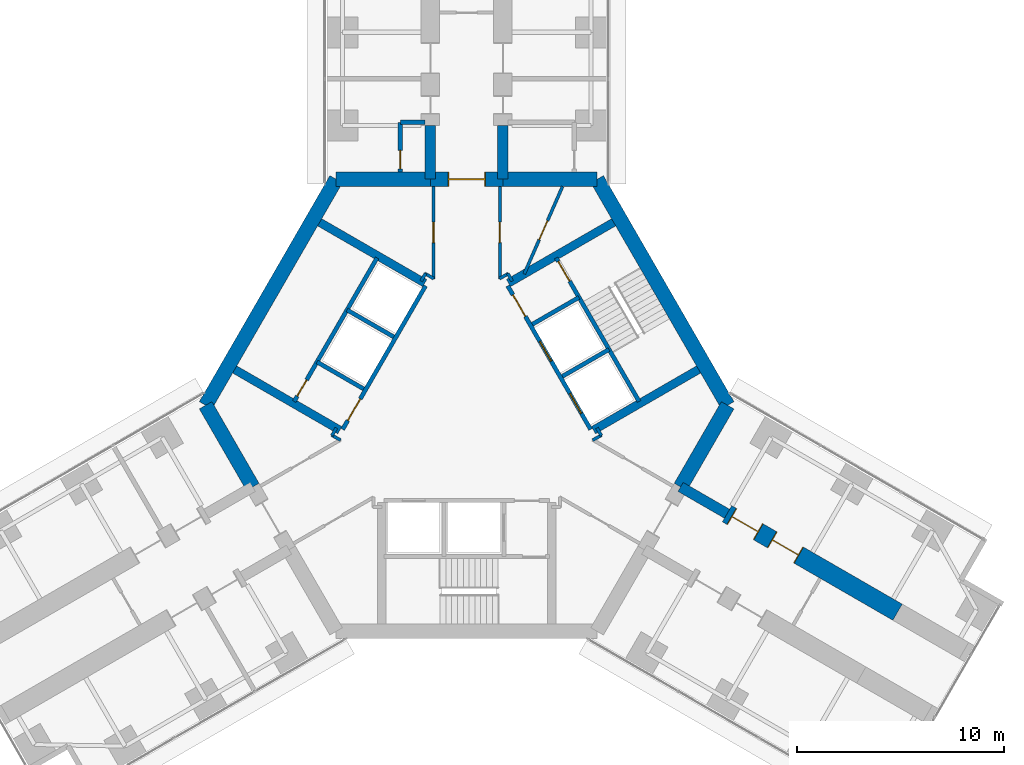
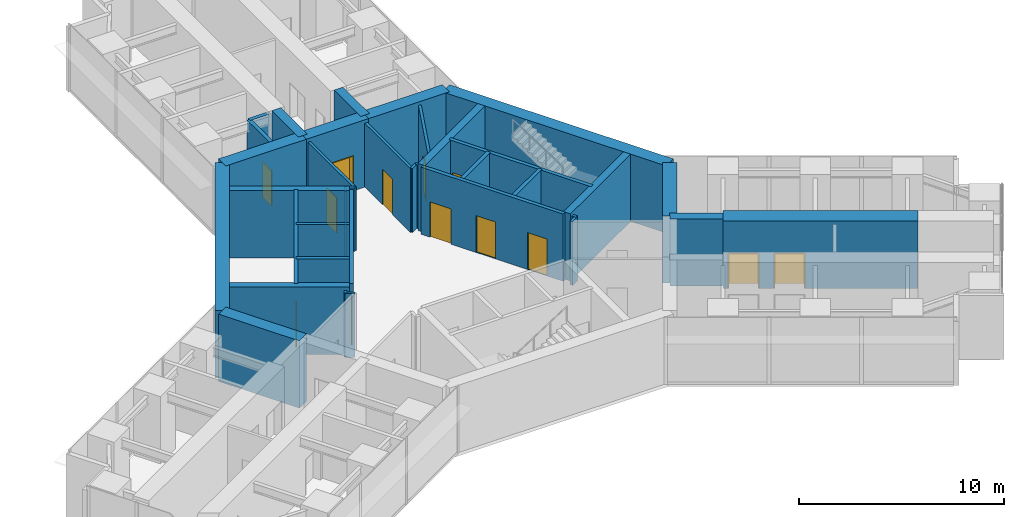
# One storey, part 20 of 23: 36 walls, 13 doors, 13 openings.
"""IFC4 building model written with IfcOpenShell, lengths in metres."""

from ifc_helpers import new_model, si_unit, direction, frame, frame_2d, origin, place, context, subcontext, project, spatial, rectangle, extrude, material, layer, layer_set, type_object, element, fill, save


model = new_model("IFC4")

# Units and contexts
model_context = context("Model", 3, precision=1e-05, world=origin(), true_north=direction((0.0, 1.0)))
body_context = subcontext(model_context, "Body", "Model", "MODEL_VIEW")
ifc_project = project(units=[si_unit("LENGTHUNIT", "METRE"), si_unit("AREAUNIT", "SQUARE_METRE"), si_unit("VOLUMEUNIT", "CUBIC_METRE"), si_unit("PLANEANGLEUNIT", "RADIAN"), si_unit("MASSUNIT", "GRAM", prefix="KILO")], contexts=[model_context])

# Site, building, storey
site_placement = place(None, origin())
site = spatial("IfcSite", under=ifc_project, at=site_placement, CompositionType="ELEMENT")
building_placement = place(site_placement, origin())
building = spatial("IfcBuilding", under=site, at=building_placement, Name="Upepo Twin Towers", CompositionType="ELEMENT")
storey_placement = place(building_placement, frame((0.0, 0.0, 28.5)))
storey = spatial("IfcBuildingStorey", under=building, at=storey_placement, Name="L06", CompositionType="ELEMENT", Elevation=28.5)

# Wall, opening, door
ifc_material_1 = material(Name="Concrete blockwork, plastered both faces", Category="masonry")
ifc_layer_1 = layer(ifc_material_1, 0.215087890625)
ifc_layer_set_1 = layer_set([ifc_layer_1], Name="Blockwork partition 215")
wall_type_1 = type_object("IfcWallType", Name="Blockwork partition 215", PredefinedType="PARTITIONING", material=ifc_layer_set_1)
wall_1_placement = place(storey_placement, frame((55.300048828125, -6.741943359375, 0.0), z_axis=(0.0, 0.0, 1.0), x_axis=(0.0, 1.0, 0.0)))
wall_1 = element("IfcWall", 1, at=wall_1_placement, inside=storey, type_object=wall_type_1, Name="T2 WC bay partition AL at 11.26", PredefinedType="PARTITIONING", context=body_context, shape_type="SweptSolid", body=[
    extrude(rectangle(XDim=2.39990234375, YDim=0.215087890625, at=frame_2d((1.199951171875, 0.0))), origin(), (0.0, 0.0, 1.0), 3.800048828125),
])
opening_1_placement = place(wall_1_placement, frame((0.14990234375, 0.0, 0.0)))
opening_1 = element("IfcOpeningElement", 2, at=opening_1_placement, cuts=wall_1, Name="Opening D14", PredefinedType="OPENING", context=body_context, shape_type="SweptSolid", body=[
    extrude(rectangle(XDim=0.89990234375, YDim=2.10009765625, at=frame_2d((0.449951171875, 1.050048828125))), frame((0.0, 0.117431640625, 0.0), z_axis=(0.0, -1.0, 0.0), x_axis=(1.0, 0.0, 0.0)), (0.0, 0.0, 1.0), 0.235107421875),
])
ifc_material_2 = material(Name="Timber doorset", Category="wood")
door_type_1 = type_object("IfcDoorType", Name="Office door 900 FD30", OperationType="SINGLE_SWING_LEFT", PredefinedType="DOOR", material=ifc_material_2)
door_1_placement = place(opening_1_placement, origin())
door_1 = element("IfcDoor", 3, at=door_1_placement, inside=storey, type_object=door_type_1, Name="T2 L06 WC bay inner room door", OperationType="SINGLE_SWING_LEFT", OverallHeight=2.10009765625, OverallWidth=0.89990234375, PredefinedType="DOOR", context=body_context, shape_type="SweptSolid", body=[
    extrude(rectangle(XDim=0.89990234375, YDim=2.10009765625, at=frame_2d((0.449951171875, 1.050048828125))), frame((0.0, 0.02490234375, 0.0), z_axis=(0.0, -1.0, 0.0), x_axis=(1.0, 0.0, 0.0)), (0.0, 0.0, 1.0), 0.050048828125),
])
fill(opening_1, door_1)

# Walls
wall_2_placement = place(storey_placement, frame((56.5, -4.342041015625, 0.0), z_axis=(0.0, 0.0, 1.0), x_axis=(-1.0, 0.0, 0.0)))
element("IfcWall", 4, at=wall_2_placement, inside=storey, type_object=wall_type_1, Name="T2 WC bay partition AL end at 13.66", PredefinedType="PARTITIONING", context=body_context, shape_type="SweptSolid", body=[
    extrude(rectangle(XDim=1.199951171875, YDim=0.215087890625, at=frame_2d((0.60009765625, 0.0))), origin(), (0.0, 0.0, 1.0), 3.800048828125),
])
ifc_material_3 = material(Name="Concrete C60/75", Category="concrete")
ifc_layer_2 = layer(ifc_material_3, 0.5)
ifc_layer_set_2 = layer_set([ifc_layer_2], Name="Concrete C60/75")
wall_type_2 = type_object("IfcWallType", Name="Buttress wall 500 RC", PredefinedType="SHEAR", material=ifc_layer_set_2)
for number, where, z_axis, x_axis, name in (
    (5, (56.75, -7.091552734375, 0.0), (0.0, 0.0, 1.0), (0.0, 1.0, 0.0), "T2 wing A buttress wall L"),
    (6, (60.25, -7.091552734375, 0.0), (0.0, 0.0, 1.0), (0.0, 1.0, 0.0), "T2 wing A buttress wall R"),
):
    element("IfcWall", number, at=place(storey_placement, frame(where, z_axis=z_axis, x_axis=x_axis)), inside=storey, type_object=wall_type_2, Name=name, PredefinedType="SHEAR", context=body_context, shape_type="SweptSolid", body=[
        extrude(rectangle(XDim=2.591552734375, YDim=0.5, at=frame_2d((1.2958984375, 0.0))), origin(), (0.0, 0.0, 1.0), 4.0),
    ])
wall_3_placement = place(storey_placement, frame((68.82177734375, -21.938720703125, 0.0), z_axis=(0.0, 0.0, 1.0), x_axis=(0.866072649678, -0.499918158782, 0.0)))
element("IfcWall", 7, at=wall_3_placement, inside=storey, type_object=wall_type_2, Name="T2 wing C buttress wall L", PredefinedType="SHEAR", context=body_context, shape_type="SweptSolid", body=[
    extrude(rectangle(XDim=2.591796875, YDim=0.5, at=frame_2d((1.2958984375, 0.0))), origin(), (0.0, 0.0, 1.0), 4.0),
])

# Wall, openings, doors
ifc_material_4 = material(Name="Concrete C60/75", Category="concrete")
ifc_layer_3 = layer(ifc_material_4, 0.89990234375)
ifc_layer_set_3 = layer_set([ifc_layer_3], Name="Concrete C60/75")
wall_type_3 = type_object("IfcWallType", Name="Buttress wall 900 RC", PredefinedType="SHEAR", material=ifc_layer_set_3)
wall_4_placement = place(storey_placement, frame((71.06640625, -23.234375, 0.0), z_axis=(0.0, 0.0, 1.0), x_axis=(0.86602681393, -0.499997557548, 0.0)))
wall_4 = element("IfcWall", 8, at=wall_4_placement, inside=storey, type_object=wall_type_3, Name="T2 wing C buttress wall L part 2", PredefinedType="SHEAR", context=body_context, shape_type="SweptSolid", body=[
    extrude(rectangle(XDim=9.5, YDim=0.89990234375, at=frame_2d((4.75, 0.0))), origin(), (0.0, 0.0, 1.0), 4.0),
])
opening_2_placement = place(wall_4_placement, frame((0.25, 0.0, 0.0)))
opening_2 = element("IfcOpeningElement", 9, at=opening_2_placement, cuts=wall_4, Name="Opening D13", PredefinedType="OPENING", context=body_context, shape_type="SweptSolid", body=[
    extrude(rectangle(XDim=1.5, YDim=2.10009765625, at=frame_2d((0.75, 1.050048828125))), frame((0.0, 0.4599609375, 0.0), z_axis=(0.0, -1.0, 0.0), x_axis=(1.0, 0.0, 0.0)), (0.0, 0.0, 1.0), 0.919921875),
])
opening_3_placement = place(wall_4_placement, frame((2.5, 0.0, 0.0)))
opening_3 = element("IfcOpeningElement", 10, at=opening_3_placement, cuts=wall_4, Name="Opening D13", PredefinedType="OPENING", context=body_context, shape_type="SweptSolid", body=[
    extrude(rectangle(XDim=1.5, YDim=2.10009765625, at=frame_2d((0.75, 1.050048828125))), frame((0.0, 0.4599609375, 0.0), z_axis=(0.0, -1.0, 0.0), x_axis=(1.0, 0.0, 0.0)), (0.0, 0.0, 1.0), 0.919921875),
])
ifc_material_5 = material(Name="Timber doorset", Category="wood")
door_type_2 = type_object("IfcDoorType", Name="Double door 1500 FD30", OperationType="DOUBLE_DOOR_SINGLE_SWING", PredefinedType="DOOR", material=ifc_material_5)
door_2_placement = place(opening_2_placement, origin())
door_2 = element("IfcDoor", 11, at=door_2_placement, inside=storey, type_object=door_type_2, Name="T2 L06 lecture room door", OperationType="DOUBLE_DOOR_SINGLE_SWING", OverallHeight=2.10009765625, OverallWidth=1.5, PredefinedType="DOOR", context=body_context, shape_type="SweptSolid", body=[
    extrude(rectangle(XDim=1.42, YDim=2.06009765625, at=frame_2d((0.75, 1.030029296875))), frame((0.0, 0.02490234375, 0.0), z_axis=(0.0, -1.0, 0.0), x_axis=(1.0, 0.0, 0.0)), (0.0, 0.0, 1.0), 0.050048828125),
    extrude(rectangle(XDim=0.04, YDim=2.10009765625, at=frame_2d((0.02001953125, 1.050048828125))), frame((0.0, 0.44970703125, 0.0), z_axis=(0.0, -1.0, 0.0), x_axis=(1.0, 0.0, 0.0)), (0.0, 0.0, 1.0), 0.8994140625),
    extrude(rectangle(XDim=0.04, YDim=2.10009765625, at=frame_2d((1.47998046875, 1.050048828125))), frame((0.0, 0.44970703125, 0.0), z_axis=(0.0, -1.0, 0.0), x_axis=(1.0, 0.0, 0.0)), (0.0, 0.0, 1.0), 0.8994140625),
    extrude(rectangle(XDim=1.42, YDim=0.04, at=frame_2d((0.75, 2.080078125))), frame((0.0, 0.44970703125, 0.0), z_axis=(0.0, -1.0, 0.0), x_axis=(1.0, 0.0, 0.0)), (0.0, 0.0, 1.0), 0.8994140625),
])
fill(opening_2, door_2)
door_3_placement = place(opening_3_placement, origin())
door_3 = element("IfcDoor", 12, at=door_3_placement, inside=storey, type_object=door_type_2, Name="T2 L06 lecture room door", OperationType="DOUBLE_DOOR_SINGLE_SWING", OverallHeight=2.10009765625, OverallWidth=1.5, PredefinedType="DOOR", context=body_context, shape_type="SweptSolid", body=[
    extrude(rectangle(XDim=1.42, YDim=2.06009765625, at=frame_2d((0.75, 1.030029296875))), frame((0.0, 0.02490234375, 0.0), z_axis=(0.0, -1.0, 0.0), x_axis=(1.0, 0.0, 0.0)), (0.0, 0.0, 1.0), 0.050048828125),
    extrude(rectangle(XDim=0.04, YDim=2.10009765625, at=frame_2d((0.02001953125, 1.050048828125))), frame((0.0, 0.44970703125, 0.0), z_axis=(0.0, -1.0, 0.0), x_axis=(1.0, 0.0, 0.0)), (0.0, 0.0, 1.0), 0.8994140625),
    extrude(rectangle(XDim=0.04, YDim=2.10009765625, at=frame_2d((1.47998046875, 1.050048828125))), frame((0.0, 0.44970703125, 0.0), z_axis=(0.0, -1.0, 0.0), x_axis=(1.0, 0.0, 0.0)), (0.0, 0.0, 1.0), 0.8994140625),
    extrude(rectangle(XDim=1.42, YDim=0.04, at=frame_2d((0.75, 2.080078125))), frame((0.0, 0.44970703125, 0.0), z_axis=(0.0, -1.0, 0.0), x_axis=(1.0, 0.0, 0.0)), (0.0, 0.0, 1.0), 0.8994140625),
])
fill(opening_3, door_3)

# Wall
ifc_material_6 = material(Name="Concrete C60/75", Category="concrete")
ifc_layer_4 = layer(ifc_material_6, 0.699951171875)
ifc_layer_set_4 = layer_set([ifc_layer_4], Name="Concrete C60/75")
wall_type_4 = type_object("IfcWallType", Name="Core wall 700 RC", PredefinedType="SHEAR", material=ifc_layer_set_4)
wall_5_placement = place(storey_placement, frame((64.7978515625, -7.091552734375, 0.0), z_axis=(0.0, 0.0, 1.0), x_axis=(-1.0, 0.0, 0.0)))
element("IfcWall", 13, at=wall_5_placement, inside=storey, type_object=wall_type_4, Name="T2 core wall 000 R", PredefinedType="SHEAR", context=body_context, shape_type="SweptSolid", body=[
    extrude(rectangle(XDim=4.5478515625, YDim=0.699951171875, at=frame_2d((2.27392578125, 0.0))), origin(), (0.0, 0.0, 1.0), 4.0),
])

# Wall, opening, door
wall_6_placement = place(storey_placement, frame((60.25, -7.091552734375, 0.0), z_axis=(0.0, 0.0, 1.0), x_axis=(-1.0, 0.0, 0.0)))
wall_6 = element("IfcWall", 14, at=wall_6_placement, inside=storey, type_object=wall_type_4, Name="T2 core wall 000", PredefinedType="SHEAR", context=body_context, shape_type="SweptSolid", body=[
    extrude(rectangle(XDim=3.5, YDim=0.699951171875, at=frame_2d((1.75, 0.0))), origin(), (0.0, 0.0, 1.0), 4.0),
])
opening_4_placement = place(wall_6_placement, frame((0.85009765625, 0.0, 0.0)))
opening_4 = element("IfcOpeningElement", 15, at=opening_4_placement, cuts=wall_6, Name="Opening D2", PredefinedType="OPENING", context=body_context, shape_type="SweptSolid", body=[
    extrude(rectangle(XDim=1.800048828125, YDim=2.10009765625, at=frame_2d((0.89990234375, 1.050048828125))), frame((0.0, 0.35986328125, 0.0), z_axis=(0.0, -1.0, 0.0), x_axis=(1.0, 0.0, 0.0)), (0.0, 0.0, 1.0), 0.719970703125),
])
ifc_material_7 = material(Name="Timber doorset", Category="wood")
door_type_3 = type_object("IfcDoorType", Name="Corridor double door 1800 FD60", OperationType="DOUBLE_DOOR_DOUBLE_SWING", PredefinedType="DOOR", material=ifc_material_7)
door_4_placement = place(opening_4_placement, origin())
door_4 = element("IfcDoor", 16, at=door_4_placement, inside=storey, type_object=door_type_3, Name="T2 L06 wing A corridor door", OperationType="DOUBLE_DOOR_DOUBLE_SWING", OverallHeight=2.10009765625, OverallWidth=1.800048828125, PredefinedType="DOOR", context=body_context, shape_type="SweptSolid", body=[
    extrude(rectangle(XDim=1.720048828125, YDim=2.06009765625, at=frame_2d((0.89990234375, 1.030029296875))), frame((0.0, 0.02490234375, 0.0), z_axis=(0.0, -1.0, 0.0), x_axis=(1.0, 0.0, 0.0)), (0.0, 0.0, 1.0), 0.050048828125),
    extrude(rectangle(XDim=0.04, YDim=2.10009765625, at=frame_2d((0.02001953125, 1.050048828125))), frame((0.0, 0.349609375, 0.0), z_axis=(0.0, -1.0, 0.0), x_axis=(1.0, 0.0, 0.0)), (0.0, 0.0, 1.0), 0.699462890625),
    extrude(rectangle(XDim=0.04, YDim=2.10009765625, at=frame_2d((1.780029296875, 1.050048828125))), frame((0.0, 0.349609375, 0.0), z_axis=(0.0, -1.0, 0.0), x_axis=(1.0, 0.0, 0.0)), (0.0, 0.0, 1.0), 0.699462890625),
    extrude(rectangle(XDim=1.720048828125, YDim=0.04, at=frame_2d((0.89990234375, 2.080078125))), frame((0.0, 0.349609375, 0.0), z_axis=(0.0, -1.0, 0.0), x_axis=(1.0, 0.0, 0.0)), (0.0, 0.0, 1.0), 0.699462890625),
])
fill(opening_4, door_4)

# Walls
wall_7_placement = place(storey_placement, frame((56.75, -7.091552734375, 0.0), z_axis=(0.0, 0.0, 1.0), x_axis=(-1.0, 0.0, 0.0)))
element("IfcWall", 17, at=wall_7_placement, inside=storey, type_object=wall_type_4, Name="T2 core wall 000 L", PredefinedType="SHEAR", context=body_context, shape_type="SweptSolid", body=[
    extrude(rectangle(XDim=4.5478515625, YDim=0.699951171875, at=frame_2d((2.27392578125, 0.0))), origin(), (0.0, 0.0, 1.0), 4.0),
])
wall_8_placement = place(storey_placement, frame((52.2021484375, -7.091552734375, 0.0), z_axis=(0.0, 0.0, 1.0), x_axis=(-0.500005998175, -0.866021940709, 0.0)))
element("IfcWall", 18, at=wall_8_placement, inside=storey, type_object=wall_type_4, Name="T2 core wall 060", PredefinedType="SHEAR", context=body_context, shape_type="SweptSolid", body=[
    extrude(rectangle(XDim=12.595947265625, YDim=0.699951171875, at=frame_2d((6.2978515625, 0.0))), origin(), (0.0, 0.0, 1.0), 4.0),
])
for number, where, z_axis, x_axis, name in (
    (19, (45.904052734375, -18.0, 0.0), (0.0, 0.0, 1.0), (0.500024481964, -0.866011268655, 0.0), "T2 core wall 120 R"),
    (20, (68.82177734375, -21.938720703125, 0.0), (0.0, 0.0, 1.0), (0.500024481964, 0.866011268655, 0.0), "T2 core wall 240 L"),
):
    element("IfcWall", number, at=place(storey_placement, frame(where, z_axis=z_axis, x_axis=x_axis)), inside=storey, type_object=wall_type_4, Name=name, PredefinedType="SHEAR", context=body_context, shape_type="SweptSolid", body=[
        extrude(rectangle(XDim=4.548095703125, YDim=0.699951171875, at=frame_2d((2.27392578125, 0.0))), origin(), (0.0, 0.0, 1.0), 4.0),
    ])
wall_9_placement = place(storey_placement, frame((71.095947265625, -18.0, 0.0), z_axis=(0.0, 0.0, 1.0), x_axis=(-0.500005998175, 0.866021940709, 0.0)))
element("IfcWall", 21, at=wall_9_placement, inside=storey, type_object=wall_type_4, Name="T2 core wall 300", PredefinedType="SHEAR", context=body_context, shape_type="SweptSolid", body=[
    extrude(rectangle(XDim=12.595947265625, YDim=0.699951171875, at=frame_2d((6.2978515625, 0.0))), origin(), (0.0, 0.0, 1.0), 4.0),
])

# Wall, opening, door
ifc_material_8 = material(Name="Concrete C40/50", Category="concrete")
ifc_layer_5 = layer(ifc_material_8, 0.199951171875)
ifc_layer_set_5 = layer_set([ifc_layer_5], Name="Concrete C40/50")
wall_type_5 = type_object("IfcWallType", Name="Shaft wall 200 RC", PredefinedType="SHEAR", material=ifc_layer_set_5)
wall_10_placement = place(storey_placement, frame((56.516357421875, -12.23583984375, 0.0), z_axis=(0.0, 0.0, 1.0), x_axis=(-0.49999894854, -0.866026010844, 0.0)))
wall_10 = element("IfcWall", 22, at=wall_10_placement, inside=storey, type_object=wall_type_5, Name="T2 core W60 front wall", PredefinedType="SHEAR", context=body_context, shape_type="SweptSolid", body=[
    extrude(rectangle(XDim=8.0, YDim=0.199951171875, at=frame_2d((4.0, 0.0))), origin(), (0.0, 0.0, 1.0), 4.0),
])
opening_5_placement = place(wall_10_placement, frame((6.300048828125, 0.0, 0.0)))
opening_5 = element("IfcOpeningElement", 23, at=opening_5_placement, cuts=wall_10, Name="Opening D4", PredefinedType="OPENING", context=body_context, shape_type="SweptSolid", body=[
    extrude(rectangle(XDim=1.199951171875, YDim=2.10009765625, at=frame_2d((0.60009765625, 1.050048828125))), frame((0.0, 0.10986328125, 0.0), z_axis=(0.0, -1.0, 0.0), x_axis=(1.0, 0.0, 0.0)), (0.0, 0.0, 1.0), 0.219970703125),
])
ifc_material_9 = material(Name="Timber doorset", Category="wood")
door_type_4 = type_object("IfcDoorType", Name="Lobby door 1200 FD60", OperationType="SINGLE_SWING_LEFT", PredefinedType="DOOR", material=ifc_material_9)
door_5_placement = place(opening_5_placement, origin())
door_5 = element("IfcDoor", 24, at=door_5_placement, inside=storey, type_object=door_type_4, Name="T2 L06 W60 lobby door", OperationType="SINGLE_SWING_RIGHT", OverallHeight=2.10009765625, OverallWidth=1.199951171875, PredefinedType="DOOR", context=body_context, shape_type="SweptSolid", body=[
    extrude(rectangle(XDim=1.199951171875, YDim=2.10009765625, at=frame_2d((0.60009765625, 1.050048828125))), frame((0.0, 0.02490234375, 0.0), z_axis=(0.0, -1.0, 0.0), x_axis=(1.0, 0.0, 0.0)), (0.0, 0.0, 1.0), 0.050048828125),
])
fill(opening_5, door_5)

# Walls
for number, where, z_axis, x_axis, name in (
    (25, (54.979736328125, -14.697265625, 0.0), (0.0, 0.0, 1.0), (-0.866062058628, 0.499936506574, 0.0), "T2 core W60 shaft divider"),
    (26, (53.52978515625, -17.208740234375, 0.0), (0.0, 0.0, 1.0), (-0.866062058628, 0.499936506574, 0.0), "T2 core W60 lobby wall"),
):
    element("IfcWall", number, at=place(storey_placement, frame(where, z_axis=z_axis, x_axis=x_axis)), inside=storey, type_object=wall_type_5, Name=name, PredefinedType="SHEAR", context=body_context, shape_type="SweptSolid", body=[
        extrude(rectangle(XDim=2.599853515625, YDim=0.199951171875, at=frame_2d((1.2998046875, 0.0))), origin(), (0.0, 0.0, 1.0), 4.0),
    ])

# Wall, opening, door
wall_11_placement = place(storey_placement, frame((54.177978515625, -10.885986328125, 0.0), z_axis=(0.0, 0.0, 1.0), x_axis=(-0.49999894854, -0.866026010844, 0.0)))
wall_11 = element("IfcWall", 27, at=wall_11_placement, inside=storey, type_object=wall_type_5, Name="T2 core W60 stair wall", PredefinedType="SHEAR", context=body_context, shape_type="SweptSolid", body=[
    extrude(rectangle(XDim=8.0, YDim=0.199951171875, at=frame_2d((4.0, 0.0))), origin(), (0.0, 0.0, 1.0), 4.0),
])
opening_6_placement = place(wall_11_placement, frame((6.800048828125, 0.0, 0.0)))
opening_6 = element("IfcOpeningElement", 28, at=opening_6_placement, cuts=wall_11, Name="Opening D9", PredefinedType="OPENING", context=body_context, shape_type="SweptSolid", body=[
    extrude(rectangle(XDim=0.89990234375, YDim=2.10009765625, at=frame_2d((0.449951171875, 1.050048828125))), frame((0.0, 0.10986328125, 0.0), z_axis=(0.0, -1.0, 0.0), x_axis=(1.0, 0.0, 0.0)), (0.0, 0.0, 1.0), 0.219970703125),
])
ifc_material_10 = material(Name="Timber doorset", Category="wood")
door_type_5 = type_object("IfcDoorType", Name="Riser door 900 FD60", OperationType="SINGLE_SWING_LEFT", PredefinedType="DOOR", material=ifc_material_10)
door_6_placement = place(opening_6_placement, origin())
door_6 = element("IfcDoor", 29, at=door_6_placement, inside=storey, type_object=door_type_5, Name="T2 L06 riser door", OperationType="SINGLE_SWING_RIGHT", OverallHeight=2.10009765625, OverallWidth=0.89990234375, PredefinedType="DOOR", context=body_context, shape_type="SweptSolid", body=[
    extrude(rectangle(XDim=0.89990234375, YDim=2.10009765625, at=frame_2d((0.449951171875, 1.050048828125))), frame((0.0, 0.02490234375, 0.0), z_axis=(0.0, -1.0, 0.0), x_axis=(1.0, 0.0, 0.0)), (0.0, 0.0, 1.0), 0.050048828125),
])
fill(opening_6, door_6)

# Wall, openings, doors
wall_12_placement = place(storey_placement, frame((64.483642578125, -19.1640625, 0.0), z_axis=(0.0, 0.0, 1.0), x_axis=(-0.49999894854, 0.866026010844, 0.0)))
wall_12 = element("IfcWall", 30, at=wall_12_placement, inside=storey, type_object=wall_type_5, Name="T2 core W300 front wall", PredefinedType="SHEAR", context=body_context, shape_type="SweptSolid", body=[
    extrude(rectangle(XDim=8.0, YDim=0.199951171875, at=frame_2d((4.0, 0.0))), origin(), (0.0, 0.0, 1.0), 4.0),
])
opening_7_placement = place(wall_12_placement, frame((6.300048828125, 0.0, 0.0)))
opening_7 = element("IfcOpeningElement", 31, at=opening_7_placement, cuts=wall_12, Name="Opening D4", PredefinedType="OPENING", context=body_context, shape_type="SweptSolid", body=[
    extrude(rectangle(XDim=1.199951171875, YDim=2.10009765625, at=frame_2d((0.60009765625, 1.050048828125))), frame((0.0, 0.10986328125, 0.0), z_axis=(0.0, -1.0, 0.0), x_axis=(1.0, 0.0, 0.0)), (0.0, 0.0, 1.0), 0.219970703125),
])
opening_8_placement = place(wall_12_placement, frame((0.89990234375, 0.0, 0.0)))
opening_8 = element("IfcOpeningElement", 32, at=opening_8_placement, cuts=wall_12, Name="Opening LD1", PredefinedType="OPENING", context=body_context, shape_type="SweptSolid", body=[
    extrude(rectangle(XDim=1.10009765625, YDim=2.199951171875, at=frame_2d((0.550048828125, 1.10009765625))), frame((0.0, 0.10986328125, 0.0), z_axis=(0.0, -1.0, 0.0), x_axis=(1.0, 0.0, 0.0)), (0.0, 0.0, 1.0), 0.219970703125),
])
opening_9_placement = place(wall_12_placement, frame((3.800048828125, 0.0, 0.0)))
opening_9 = element("IfcOpeningElement", 33, at=opening_9_placement, cuts=wall_12, Name="Opening LD1", PredefinedType="OPENING", context=body_context, shape_type="SweptSolid", body=[
    extrude(rectangle(XDim=1.10009765625, YDim=2.199951171875, at=frame_2d((0.550048828125, 1.10009765625))), frame((0.0, 0.10986328125, 0.0), z_axis=(0.0, -1.0, 0.0), x_axis=(1.0, 0.0, 0.0)), (0.0, 0.0, 1.0), 0.219970703125),
])
ifc_material_11 = material(Name="Steel doorset", Category="steel")
door_type_6 = type_object("IfcDoorType", Name="Lift landing door 1100", OperationType="DOUBLE_DOOR_SLIDING", PredefinedType="DOOR", material=ifc_material_11)
door_7_placement = place(opening_8_placement, origin())
door_7 = element("IfcDoor", 34, at=door_7_placement, inside=storey, type_object=door_type_6, Name="T2 L06 lift LL1 landing door", OperationType="DOUBLE_DOOR_SLIDING", OverallHeight=2.199951171875, OverallWidth=1.10009765625, PredefinedType="DOOR", context=body_context, shape_type="SweptSolid", body=[
    extrude(rectangle(XDim=1.10009765625, YDim=2.199951171875, at=frame_2d((0.550048828125, 1.10009765625))), frame((0.0, 0.02490234375, 0.0), z_axis=(0.0, -1.0, 0.0), x_axis=(1.0, 0.0, 0.0)), (0.0, 0.0, 1.0), 0.050048828125),
])
fill(opening_8, door_7)
door_8_placement = place(opening_9_placement, origin())
door_8 = element("IfcDoor", 35, at=door_8_placement, inside=storey, type_object=door_type_6, Name="T2 L06 lift LL2 landing door", OperationType="DOUBLE_DOOR_SLIDING", OverallHeight=2.199951171875, OverallWidth=1.10009765625, PredefinedType="DOOR", context=body_context, shape_type="SweptSolid", body=[
    extrude(rectangle(XDim=1.10009765625, YDim=2.199951171875, at=frame_2d((0.550048828125, 1.10009765625))), frame((0.0, 0.02490234375, 0.0), z_axis=(0.0, -1.0, 0.0), x_axis=(1.0, 0.0, 0.0)), (0.0, 0.0, 1.0), 0.050048828125),
])
fill(opening_9, door_8)
door_9_placement = place(opening_7_placement, origin())
door_9 = element("IfcDoor", 36, at=door_9_placement, inside=storey, type_object=door_type_4, Name="T2 L06 W300 lobby door", OperationType="SINGLE_SWING_RIGHT", OverallHeight=2.10009765625, OverallWidth=1.199951171875, PredefinedType="DOOR", context=body_context, shape_type="SweptSolid", body=[
    extrude(rectangle(XDim=1.199951171875, YDim=2.10009765625, at=frame_2d((0.60009765625, 1.050048828125))), frame((0.0, 0.02490234375, 0.0), z_axis=(0.0, -1.0, 0.0), x_axis=(1.0, 0.0, 0.0)), (0.0, 0.0, 1.0), 0.050048828125),
])
fill(opening_7, door_9)

# Walls
wall_13_placement = place(storey_placement, frame((63.120361328125, -16.6025390625, 0.0), z_axis=(0.0, 0.0, 1.0), x_axis=(0.866062058628, 0.499936506574, 0.0)))
element("IfcWall", 37, at=wall_13_placement, inside=storey, type_object=wall_type_5, Name="T2 core W300 shaft divider", PredefinedType="SHEAR", context=body_context, shape_type="SweptSolid", body=[
    extrude(rectangle(XDim=2.599853515625, YDim=0.199951171875, at=frame_2d((1.2998046875, 0.0))), origin(), (0.0, 0.0, 1.0), 4.0),
])
wall_14_placement = place(storey_placement, frame((61.67041015625, -14.091064453125, 0.0), z_axis=(0.0, 0.0, 1.0), x_axis=(0.86603858612, 0.49997716683, 0.0)))
element("IfcWall", 38, at=wall_14_placement, inside=storey, type_object=wall_type_5, Name="T2 core W300 lobby wall", PredefinedType="SHEAR", context=body_context, shape_type="SweptSolid", body=[
    extrude(rectangle(XDim=2.599609375, YDim=0.199951171875, at=frame_2d((1.2998046875, 0.0))), origin(), (0.0, 0.0, 1.0), 4.0),
])

# Wall, opening, door
wall_15_placement = place(storey_placement, frame((66.822021484375, -17.814208984375, 0.0), z_axis=(0.0, 0.0, 1.0), x_axis=(-0.49999894854, 0.866026010844, 0.0)))
wall_15 = element("IfcWall", 39, at=wall_15_placement, inside=storey, type_object=wall_type_5, Name="T2 core W300 stair wall", PredefinedType="SHEAR", context=body_context, shape_type="SweptSolid", body=[
    extrude(rectangle(XDim=8.0, YDim=0.199951171875, at=frame_2d((4.0, 0.0))), origin(), (0.0, 0.0, 1.0), 4.0),
])
opening_10_placement = place(wall_15_placement, frame((6.699951171875, 0.0, 0.0)))
opening_10 = element("IfcOpeningElement", 40, at=opening_10_placement, cuts=wall_15, Name="Opening D3", PredefinedType="OPENING", context=body_context, shape_type="SweptSolid", body=[
    extrude(rectangle(XDim=1.10009765625, YDim=2.10009765625, at=frame_2d((0.550048828125, 1.050048828125))), frame((0.0, 0.10986328125, 0.0), z_axis=(0.0, -1.0, 0.0), x_axis=(1.0, 0.0, 0.0)), (0.0, 0.0, 1.0), 0.219970703125),
])
ifc_material_12 = material(Name="Timber doorset", Category="wood")
door_type_7 = type_object("IfcDoorType", Name="Stair door 1100 FD60", OperationType="SINGLE_SWING_LEFT", PredefinedType="DOOR", material=ifc_material_12)
door_10_placement = place(opening_10_placement, origin())
door_10 = element("IfcDoor", 41, at=door_10_placement, inside=storey, type_object=door_type_7, Name="T2 L06 stair door", OperationType="SINGLE_SWING_RIGHT", OverallHeight=2.10009765625, OverallWidth=1.10009765625, PredefinedType="DOOR", context=body_context, shape_type="SweptSolid", body=[
    extrude(rectangle(XDim=1.10009765625, YDim=2.10009765625, at=frame_2d((0.550048828125, 1.050048828125))), frame((0.0, 0.02490234375, 0.0), z_axis=(0.0, -1.0, 0.0), x_axis=(1.0, 0.0, 0.0)), (0.0, 0.0, 1.0), 0.050048828125),
])
fill(opening_10, door_10)

# Walls
ifc_material_13 = material(Name="Concrete C40/50", Category="concrete")
ifc_layer_6 = layer(ifc_material_13, 0.39990234375)
ifc_layer_set_6 = layer_set([ifc_layer_6], Name="Concrete C40/50")
wall_type_6 = type_object("IfcWallType", Name="Shaft wall 400 RC", PredefinedType="SHEAR", material=ifc_layer_set_6)
for number, where, z_axis, x_axis, name in (
    (42, (52.379638671875, -19.20068359375, 0.0), (0.0, 0.0, 1.0), (-0.866023886965, 0.500002627198, 0.0), "T2 core W60 side wall N"),
    (43, (56.479736328125, -12.099365234375, 0.0), (0.0, 0.0, 1.0), (-0.866023886965, 0.500002627198, 0.0), "T2 core W60 side wall S"),
    (44, (60.520263671875, -12.099365234375, 0.0), (0.0, 0.0, 1.0), (0.866023886965, 0.500002627198, 0.0), "T2 core W300 side wall N"),
    (45, (64.620361328125, -19.20068359375, 0.0), (0.0, 0.0, 1.0), (0.866023886965, 0.500002627198, 0.0), "T2 core W300 side wall S"),
):
    element("IfcWall", number, at=place(storey_placement, frame(where, z_axis=z_axis, x_axis=x_axis)), inside=storey, type_object=wall_type_6, Name=name, PredefinedType="SHEAR", context=body_context, shape_type="SweptSolid", body=[
        extrude(rectangle(XDim=5.8583984375, YDim=0.39990234375, at=frame_2d((2.92919921875, 0.0))), origin(), (0.0, 0.0, 1.0), 4.0),
    ])
ifc_material_14 = material(Name="Gypsum board on steel studs", Category="steel")
ifc_layer_7 = layer(ifc_material_14, 0.14990234375)
ifc_layer_set_7 = layer_set([ifc_layer_7], Name="Teaching partition 150 acoustic")
wall_type_7 = type_object("IfcWallType", Name="Teaching partition 150 acoustic", PredefinedType="PARTITIONING", material=ifc_layer_set_7)
wall_16_placement = place(storey_placement, frame((52.417236328125, -19.684326171875, 0.0), z_axis=(0.0, 0.0, 1.0), x_axis=(-0.865831790172, 0.50033519877, 0.0)))
element("IfcWall", 46, at=wall_16_placement, inside=storey, type_object=wall_type_7, Name="T2 core room partition 4", PredefinedType="PARTITIONING", context=body_context, shape_type="SweptSolid", body=[
    extrude(rectangle(XDim=0.494384765625, YDim=0.14990234375, at=frame_2d((0.2470703125, 0.0))), origin(), (0.0, 0.0, 1.0), 3.800048828125),
])
for number, where, z_axis, x_axis, name in (
    (47, (51.99658203125, -19.46435546875, 0.0), (0.0, 0.0, 1.0), (0.499804398801, 0.866138304741, 0.0), "T2 core room partition 5"),
    (48, (56.301513671875, -12.0078125, 0.0), (0.0, 0.0, 1.0), (0.500230298122, 0.865892400268, 0.0), "T2 core room partition 6"),
):
    element("IfcWall", number, at=place(storey_placement, frame(where, z_axis=z_axis, x_axis=x_axis)), inside=storey, type_object=wall_type_7, Name=name, PredefinedType="PARTITIONING", context=body_context, shape_type="SweptSolid", body=[
        extrude(rectangle(XDim=0.429931640625, YDim=0.14990234375, at=frame_2d((0.21484375, 0.0))), origin(), (0.0, 0.0, 1.0), 3.800048828125),
    ])
wall_17_placement = place(storey_placement, frame((56.4892578125, -11.642822265625, 0.0), z_axis=(0.0, 0.0, 1.0), x_axis=(0.865831790172, -0.50033519877, 0.0)))
element("IfcWall", 49, at=wall_17_placement, inside=storey, type_object=wall_type_7, Name="T2 core room partition 7", PredefinedType="PARTITIONING", context=body_context, shape_type="SweptSolid", body=[
    extrude(rectangle(XDim=0.494384765625, YDim=0.14990234375, at=frame_2d((0.2470703125, 0.0))), origin(), (0.0, 0.0, 1.0), 3.800048828125),
])

# Wall, opening, door
wall_18_placement = place(storey_placement, frame((56.89990234375, -11.900146484375, 0.0), z_axis=(0.0, 0.0, 1.0), x_axis=(0.0, 1.0, 0.0)))
wall_18 = element("IfcWall", 50, at=wall_18_placement, inside=storey, type_object=wall_type_7, Name="T2 core room partition 8", PredefinedType="PARTITIONING", context=body_context, shape_type="SweptSolid", body=[
    extrude(rectangle(XDim=4.468505859375, YDim=0.14990234375, at=frame_2d((2.234375, 0.0))), origin(), (0.0, 0.0, 1.0), 3.800048828125),
])
opening_11_placement = place(wall_18_placement, frame((1.744384765625, 0.0, 0.0)))
opening_11 = element("IfcOpeningElement", 51, at=opening_11_placement, cuts=wall_18, Name="Opening D1", PredefinedType="OPENING", context=body_context, shape_type="SweptSolid", body=[
    extrude(rectangle(XDim=1.0, YDim=2.10009765625, at=frame_2d((0.5, 1.050048828125))), frame((0.0, 0.0849609375, 0.0), z_axis=(0.0, -1.0, 0.0), x_axis=(1.0, 0.0, 0.0)), (0.0, 0.0, 1.0), 0.169921875),
])
ifc_material_15 = material(Name="Timber doorset", Category="wood")
door_type_8 = type_object("IfcDoorType", Name="Room door 1000 FD30", OperationType="SINGLE_SWING_LEFT", PredefinedType="DOOR", material=ifc_material_15)
door_11_placement = place(opening_11_placement, origin())
door_11 = element("IfcDoor", 52, at=door_11_placement, inside=storey, type_object=door_type_8, Name="T2 L06 core room door K7", OperationType="SINGLE_SWING_RIGHT", OverallHeight=2.10009765625, OverallWidth=1.0, PredefinedType="DOOR", context=body_context, shape_type="SweptSolid", body=[
    extrude(rectangle(XDim=1.0, YDim=2.10009765625, at=frame_2d((0.5, 1.050048828125))), frame((0.0, 0.02490234375, 0.0), z_axis=(0.0, -1.0, 0.0), x_axis=(1.0, 0.0, 0.0)), (0.0, 0.0, 1.0), 0.050048828125),
])
fill(opening_11, door_11)

wall_19_placement = place(storey_placement, frame((60.10009765625, -7.431640625, 0.0), z_axis=(0.0, 0.0, 1.0), x_axis=(0.0, -1.0, 0.0)))
wall_19 = element("IfcWall", 53, at=wall_19_placement, inside=storey, type_object=wall_type_7, Name="T2 core room partition 9", PredefinedType="PARTITIONING", context=body_context, shape_type="SweptSolid", body=[
    extrude(rectangle(XDim=4.468505859375, YDim=0.14990234375, at=frame_2d((2.234375, 0.0))), origin(), (0.0, 0.0, 1.0), 3.800048828125),
])
opening_12_placement = place(wall_19_placement, frame((1.72412109375, 0.0, 0.0)))
opening_12 = element("IfcOpeningElement", 54, at=opening_12_placement, cuts=wall_19, Name="Opening D1", PredefinedType="OPENING", context=body_context, shape_type="SweptSolid", body=[
    extrude(rectangle(XDim=1.0, YDim=2.10009765625, at=frame_2d((0.5, 1.050048828125))), frame((0.0, 0.0849609375, 0.0), z_axis=(0.0, -1.0, 0.0), x_axis=(1.0, 0.0, 0.0)), (0.0, 0.0, 1.0), 0.169921875),
])
door_12_placement = place(opening_12_placement, origin())
door_12 = element("IfcDoor", 55, at=door_12_placement, inside=storey, type_object=door_type_8, Name="T2 L06 core room door K5", OperationType="SINGLE_SWING_LEFT", OverallHeight=2.10009765625, OverallWidth=1.0, PredefinedType="DOOR", context=body_context, shape_type="SweptSolid", body=[
    extrude(rectangle(XDim=1.0, YDim=2.10009765625, at=frame_2d((0.5, 1.050048828125))), frame((0.0, 0.02490234375, 0.0), z_axis=(0.0, -1.0, 0.0), x_axis=(1.0, 0.0, 0.0)), (0.0, 0.0, 1.0), 0.050048828125),
])
fill(opening_12, door_12)

# Walls
wall_20_placement = place(storey_placement, frame((60.082763671875, -11.89013671875, 0.0), z_axis=(0.0, 0.0, 1.0), x_axis=(0.865831790172, 0.50033519877, 0.0)))
element("IfcWall", 56, at=wall_20_placement, inside=storey, type_object=wall_type_7, Name="T2 core room partition 10", PredefinedType="PARTITIONING", context=body_context, shape_type="SweptSolid", body=[
    extrude(rectangle(XDim=0.494384765625, YDim=0.14990234375, at=frame_2d((0.2470703125, 0.0))), origin(), (0.0, 0.0, 1.0), 3.800048828125),
])
for number, where, z_axis, x_axis, name in (
    (57, (60.4833984375, -11.635498046875, 0.0), (0.0, 0.0, 1.0), (0.500230298122, -0.865892400268, 0.0), "T2 core room partition 11"),
    (58, (64.78857421875, -19.092041015625, 0.0), (0.0, 0.0, 1.0), (0.499804398801, -0.866138304741, 0.0), "T2 core room partition 12"),
):
    element("IfcWall", number, at=place(storey_placement, frame(where, z_axis=z_axis, x_axis=x_axis)), inside=storey, type_object=wall_type_7, Name=name, PredefinedType="PARTITIONING", context=body_context, shape_type="SweptSolid", body=[
        extrude(rectangle(XDim=0.429931640625, YDim=0.14990234375, at=frame_2d((0.21484375, 0.0))), origin(), (0.0, 0.0, 1.0), 3.800048828125),
    ])
wall_21_placement = place(storey_placement, frame((65.0107421875, -19.43701171875, 0.0), z_axis=(0.0, 0.0, 1.0), x_axis=(-0.865831790172, -0.50033519877, 0.0)))
element("IfcWall", 59, at=wall_21_placement, inside=storey, type_object=wall_type_7, Name="T2 core room partition 13", PredefinedType="PARTITIONING", context=body_context, shape_type="SweptSolid", body=[
    extrude(rectangle(XDim=0.494384765625, YDim=0.14990234375, at=frame_2d((0.2470703125, 0.0))), origin(), (0.0, 0.0, 1.0), 3.800048828125),
])

# Wall, opening, door
wall_22_placement = place(storey_placement, frame((61.277099609375, -11.662353515625, 0.0), z_axis=(0.0, 0.0, 1.0), x_axis=(0.40133016735, 0.915933456521, 0.0)))
wall_22 = element("IfcWall", 60, at=wall_22_placement, inside=storey, type_object=wall_type_7, Name="T2 core room partition 19", PredefinedType="PARTITIONING", context=body_context, shape_type="SweptSolid", body=[
    extrude(rectangle(XDim=4.608154296875, YDim=0.14990234375, at=frame_2d((2.30419921875, 0.0))), origin(), (0.0, 0.0, 1.0), 3.800048828125),
])
opening_13_placement = place(wall_22_placement, frame((1.803955078125, 0.0, 0.0)))
opening_13 = element("IfcOpeningElement", 61, at=opening_13_placement, cuts=wall_22, Name="Opening D1", PredefinedType="OPENING", context=body_context, shape_type="SweptSolid", body=[
    extrude(rectangle(XDim=1.0, YDim=2.10009765625, at=frame_2d((0.5, 1.050048828125))), frame((0.0, 0.0849609375, 0.0), z_axis=(0.0, -1.0, 0.0), x_axis=(1.0, 0.0, 0.0)), (0.0, 0.0, 1.0), 0.169921875),
])
door_13_placement = place(opening_13_placement, origin())
door_13 = element("IfcDoor", 62, at=door_13_placement, inside=storey, type_object=door_type_8, Name="T2 L06 core room door K6", OperationType="SINGLE_SWING_LEFT", OverallHeight=2.10009765625, OverallWidth=1.0, PredefinedType="DOOR", context=body_context, shape_type="SweptSolid", body=[
    extrude(rectangle(XDim=1.0, YDim=2.10009765625, at=frame_2d((0.5, 1.050048828125))), frame((0.0, 0.02490234375, 0.0), z_axis=(0.0, -1.0, 0.0), x_axis=(1.0, 0.0, 0.0)), (0.0, 0.0, 1.0), 0.050048828125),
])
fill(opening_13, door_13)

save(model, "model.ifc")
